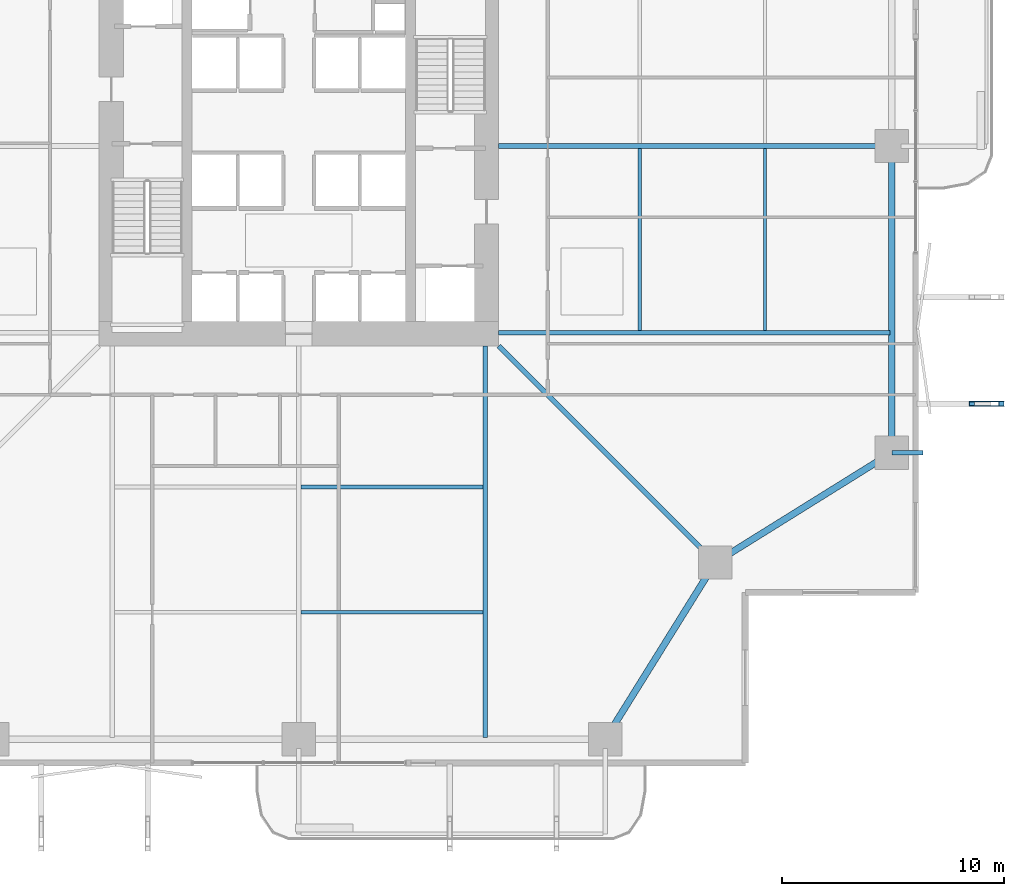
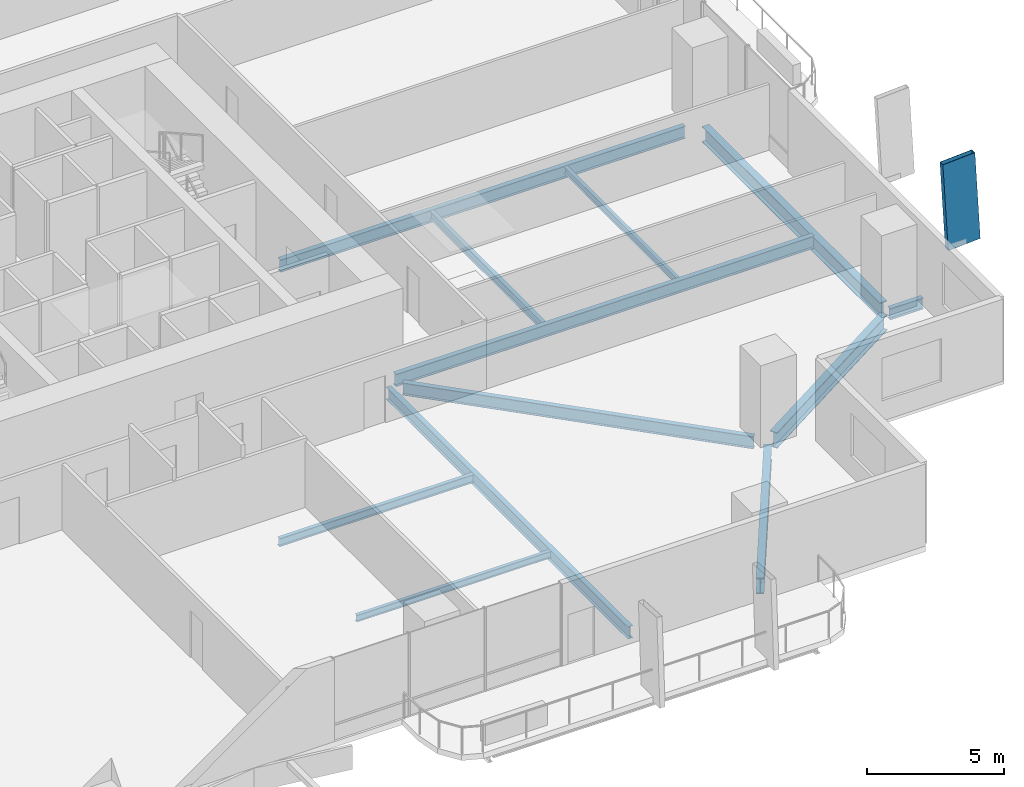
# One storey, part 7 of 24: 12 beams, 1 member.
"""IFC4 building model written with IfcOpenShell, lengths in metres."""

from ifc_helpers import new_model, si_unit, direction, frame, origin, origin_2d, place, context, subcontext, project, spatial, hollow_rectangle, i_section, extrude, material, material_profile, profile_set, type_object, element, save


model = new_model("IFC4")

# Units and contexts
model_context = context("Model", 3, precision=1e-05, world=origin(), true_north=direction((0.0, 1.0)))
body_context = subcontext(model_context, "Body", "Model", "MODEL_VIEW")
ifc_project = project(units=[si_unit("LENGTHUNIT", "METRE"), si_unit("AREAUNIT", "SQUARE_METRE"), si_unit("VOLUMEUNIT", "CUBIC_METRE"), si_unit("PLANEANGLEUNIT", "RADIAN"), si_unit("MASSUNIT", "GRAM", prefix="KILO")], contexts=[model_context])

# Site, building, storey
site_placement = place(None, origin())
site = spatial("IfcSite", under=ifc_project, at=site_placement, CompositionType="ELEMENT")
building_placement = place(site_placement, origin())
building = spatial("IfcBuilding", under=site, at=building_placement, Name="Belovzor Exchange Tower", CompositionType="ELEMENT")
storey_placement = place(building_placement, frame((0.0, 0.0, 37.800048828125)))
storey = spatial("IfcBuildingStorey", under=building, at=storey_placement, Name="L08", CompositionType="ELEMENT", Elevation=37.800048828125)

# Member
ifc_material_1 = material(Name="Extruded Architectural Terracotta on Steel S355 Carrier", Category="masonry")
ifc_material_profile_1 = material_profile(ifc_material_1, hollow_rectangle(XDim=0.219970703125, YDim=1.35009765625, WallThickness=0.013916015625, at=origin_2d()))
ifc_profile_set_1 = profile_set([ifc_material_profile_1], Name="Extruded Architectural Terracotta on Steel S355 Carrier")
member_type = type_object("IfcMemberType", Name="Base Arc Sweeping Terracotta Pylon Fin 1450", PredefinedType="USERDEFINED", material=ifc_profile_set_1)
member_placement = place(storey_placement, frame((59.873046875, 17.199951171875, -0.25), z_axis=(-0.058121188646, 0.0, 0.998309534879), x_axis=(0.0, -1.0, 0.0)))
element("IfcMember", 1, at=member_placement, inside=storey, type_object=member_type, Name="FIN-TC145 Terracotta Facade Fin L08 E1", ObjectType="FIN", PredefinedType="USERDEFINED", context=body_context, shape_type="SweptSolid", body=[
    extrude(hollow_rectangle(XDim=0.219970703125, YDim=1.35009765625, WallThickness=0.013916015625, at=origin_2d()), origin(), (0.0, 0.0, 1.0), 3.906494140625),
])

# Beams
ifc_material_2 = material(Name="Steel S355", Category="steel")
ifc_material_profile_2 = material_profile(ifc_material_2, i_section(OverallWidth=0.199951171875, OverallDepth=0.5, WebThickness=0.01025390625, FlangeThickness=0.01611328125, at=origin_2d()))
ifc_profile_set_2 = profile_set([ifc_material_profile_2], Name="Steel S355")
beam_type_1 = type_object("IfcBeamType", Name="Planted Balcony Cantilever Beam IPE 500", PredefinedType="BEAM", material=ifc_profile_set_2)
beam_1_placement = place(storey_placement, frame((55.5, 15.0, -0.5), z_axis=(1.0, 0.0, 0.0), x_axis=(0.0, 1.0, 0.0)))
element("IfcBeam", 2, at=beam_1_placement, inside=storey, type_object=beam_type_1, Name="BC-500 Planted Balcony Cantilever Beam IPE 500", PredefinedType="BEAM", context=body_context, shape_type="SweptSolid", body=[
    extrude(i_section(OverallWidth=0.199951171875, OverallDepth=0.5, WebThickness=0.01025390625, FlangeThickness=0.01611328125, at=origin_2d()), origin(), (0.0, 0.0, 1.0), 1.39990234375),
])
ifc_material_3 = material(Name="Steel S355", Category="steel")
ifc_material_profile_3 = material_profile(ifc_material_3, i_section(OverallWidth=0.169921875, OverallDepth=0.360107421875, WebThickness=0.008056640625, FlangeThickness=0.0126953125, at=origin_2d()))
ifc_profile_set_3 = profile_set([ifc_material_profile_3], Name="Steel S355")
beam_type_2 = type_object("IfcBeamType", Name="Secondary Infill Floor Joist IPE 360", PredefinedType="BEAM", material=ifc_profile_set_3)
beam_2_placement = place(storey_placement, frame((28.905029296875, 13.455078125, -0.429931640625), z_axis=(1.0, 0.0, 0.0), x_axis=(0.0, 1.0, 0.0)))
element("IfcBeam", 3, at=beam_2_placement, inside=storey, type_object=beam_type_2, Name="FJ-360 Secondary Infill Floor Joist IPE 360", PredefinedType="BEAM", context=body_context, shape_type="SweptSolid", body=[
    extrude(i_section(OverallWidth=0.169921875, OverallDepth=0.360107421875, WebThickness=0.008056640625, FlangeThickness=0.0126953125, at=origin_2d()), origin(), (0.0, 0.0, 1.0), 8.18994140625),
])
beam_3_placement = place(storey_placement, frame((44.14501953125, 20.5048828125, -0.429931640625), z_axis=(0.0, 1.0, 0.0), x_axis=(-1.0, 0.0, 0.0)))
element("IfcBeam", 4, at=beam_3_placement, inside=storey, type_object=beam_type_2, Name="FJ-360 Secondary Infill Floor Joist IPE 360", PredefinedType="BEAM", context=body_context, shape_type="SweptSolid", body=[
    extrude(i_section(OverallWidth=0.169921875, OverallDepth=0.360107421875, WebThickness=0.008056640625, FlangeThickness=0.0126953125, at=origin_2d()), origin(), (0.0, 0.0, 1.0), 8.190185546875),
])
ifc_material_4 = material(Name="Steel S355", Category="steel")
ifc_material_profile_4 = material_profile(ifc_material_4, i_section(OverallWidth=0.14990234375, OverallDepth=0.300048828125, WebThickness=0.007080078125, FlangeThickness=0.0107421875, at=origin_2d()))
ifc_profile_set_4 = profile_set([ifc_material_profile_4], Name="Steel S355")
beam_type_3 = type_object("IfcBeamType", Name="Secondary Trim Floor Joist IPE 300", PredefinedType="BEAM", material=ifc_profile_set_4)
beam_4_placement = place(storey_placement, frame((28.905029296875, 7.81494140625, -0.400146484375), z_axis=(1.0, 0.0, 0.0), x_axis=(0.0, 1.0, 0.0)))
element("IfcBeam", 5, at=beam_4_placement, inside=storey, type_object=beam_type_3, Name="FJ-300 Secondary Trim Floor Joist IPE 300", PredefinedType="BEAM", context=body_context, shape_type="SweptSolid", body=[
    extrude(i_section(OverallWidth=0.14990234375, OverallDepth=0.300048828125, WebThickness=0.007080078125, FlangeThickness=0.0107421875, at=origin_2d()), origin(), (0.0, 0.0, 1.0), 8.18994140625),
])
beam_5_placement = place(storey_placement, frame((49.784912109375, 20.5048828125, -0.400146484375), z_axis=(0.0, 1.0, 0.0), x_axis=(-1.0, 0.0, 0.0)))
element("IfcBeam", 6, at=beam_5_placement, inside=storey, type_object=beam_type_3, Name="FJ-300 Secondary Trim Floor Joist IPE 300", PredefinedType="BEAM", context=body_context, shape_type="SweptSolid", body=[
    extrude(i_section(OverallWidth=0.14990234375, OverallDepth=0.300048828125, WebThickness=0.007080078125, FlangeThickness=0.0107421875, at=origin_2d()), origin(), (0.0, 0.0, 1.0), 8.190185546875),
])
ifc_material_5 = material(Name="Steel S355", Category="steel")
ifc_material_profile_5 = material_profile(ifc_material_5, i_section(OverallWidth=0.300048828125, OverallDepth=0.699951171875, WebThickness=0.01708984375, FlangeThickness=0.031982421875, at=origin_2d()))
ifc_profile_set_5 = profile_set([ifc_material_profile_5], Name="Steel S355")
beam_type_4 = type_object("IfcBeamType", Name="Zone 1 Primary Perimeter Girder HEB 700", PredefinedType="BEAM", material=ifc_profile_set_5)
for number, where, z_axis, x_axis, name in (
    (7, (42.818115234375, 2.449951171875, -0.60009765625), (0.528538629686, 0.848909251292, 0.0), (-0.848909251292, 0.528538629686, 0.0), "FG-Z1 Zone 1 Primary Perimeter Girder HEB 700"),
    (8, (47.89990234375, 10.26806640625, -0.60009765625), (0.848909251292, 0.528538629686, 0.0), (-0.528538629686, 0.848909251292, 0.0), "FG-Z1 Zone 1 Primary Perimeter Girder HEB 700"),
):
    element("IfcBeam", number, at=place(storey_placement, frame(where, z_axis=z_axis, x_axis=x_axis)), inside=storey, type_object=beam_type_4, Name=name, PredefinedType="BEAM", context=body_context, shape_type="SweptSolid", body=[
        extrude(i_section(OverallWidth=0.300048828125, OverallDepth=0.699951171875, WebThickness=0.01708984375, FlangeThickness=0.031982421875, at=origin_2d()), origin(), (0.0, 0.0, 1.0), 8.540283203125),
    ])
beam_6_placement = place(storey_placement, frame((55.5, 15.412109375, -0.60009765625), z_axis=(0.0, 1.0, 0.0), x_axis=(-1.0, 0.0, 0.0)))
element("IfcBeam", 9, at=beam_6_placement, inside=storey, type_object=beam_type_4, Name="FG-Z1 Zone 1 Primary Perimeter Girder HEB 700", PredefinedType="BEAM", context=body_context, shape_type="SweptSolid", body=[
    extrude(i_section(OverallWidth=0.300048828125, OverallDepth=0.699951171875, WebThickness=0.01708984375, FlangeThickness=0.031982421875, at=origin_2d()), origin(), (0.0, 0.0, 1.0), 12.974853515625),
])
ifc_material_6 = material(Name="Steel S355", Category="steel")
ifc_material_profile_6 = material_profile(ifc_material_6, i_section(OverallWidth=0.2099609375, OverallDepth=0.550048828125, WebThickness=0.010986328125, FlangeThickness=0.01708984375, at=origin_2d()))
ifc_profile_set_6 = profile_set([ifc_material_profile_6], Name="Steel S355")
beam_type_5 = type_object("IfcBeamType", Name="Zone 1 Radial Composite Floor Beam IPE 550", PredefinedType="BEAM", material=ifc_profile_set_6)
for number, where, z_axis, x_axis, name in (
    (10, (37.199951171875, 19.800048828125, -0.525146484375), (0.0, -1.0, 0.0), (1.0, 0.0, 0.0), "FB-550 Zone 1 Radial Composite Floor Beam IPE 550"),
    (11, (37.800048828125, 20.39990234375, -0.525146484375), (1.0, 0.0, 0.0), (0.0, 1.0, 0.0), "FB-550 Zone 1 Radial Composite Floor Beam IPE 550"),
):
    element("IfcBeam", number, at=place(storey_placement, frame(where, z_axis=z_axis, x_axis=x_axis)), inside=storey, type_object=beam_type_5, Name=name, PredefinedType="BEAM", context=body_context, shape_type="SweptSolid", body=[
        extrude(i_section(OverallWidth=0.2099609375, OverallDepth=0.550048828125, WebThickness=0.010986328125, FlangeThickness=0.01708984375, at=origin_2d()), origin(), (0.0, 0.0, 1.0), 17.625),
    ])
beam_7_placement = place(storey_placement, frame((37.800048828125, 28.800048828125, -0.525146484375), z_axis=(1.0, 0.0, 0.0), x_axis=(0.0, 1.0, 0.0)))
element("IfcBeam", 12, at=beam_7_placement, inside=storey, type_object=beam_type_5, Name="FB-550 Zone 1 Radial Composite Floor Beam IPE 550", PredefinedType="BEAM", context=body_context, shape_type="SweptSolid", body=[
    extrude(i_section(OverallWidth=0.2099609375, OverallDepth=0.550048828125, WebThickness=0.010986328125, FlangeThickness=0.01708984375, at=origin_2d()), origin(), (0.0, 0.0, 1.0), 17.0400390625),
])
beam_8_placement = place(storey_placement, frame((37.800048828125, 19.800048828125, -0.525146484375), z_axis=(0.707106781187, -0.707106781187, 0.0), x_axis=(0.707106781187, 0.707106781187, 0.0)))
element("IfcBeam", 13, at=beam_8_placement, inside=storey, type_object=beam_type_5, Name="FB-550 Zone 1 Radial Composite Floor Beam IPE 550", PredefinedType="BEAM", context=body_context, shape_type="SweptSolid", body=[
    extrude(i_section(OverallWidth=0.2099609375, OverallDepth=0.550048828125, WebThickness=0.010986328125, FlangeThickness=0.01708984375, at=origin_2d()), origin(), (0.0, 0.0, 1.0), 13.25830078125),
])

save(model, "model.ifc")
